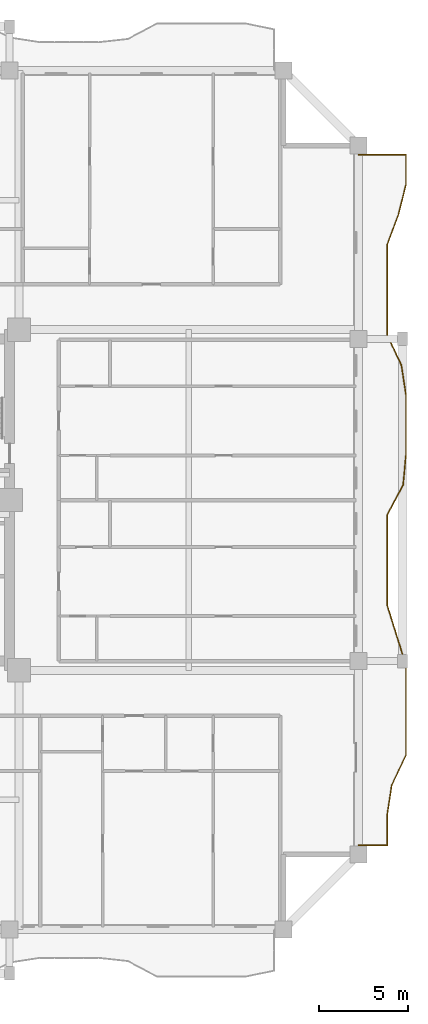
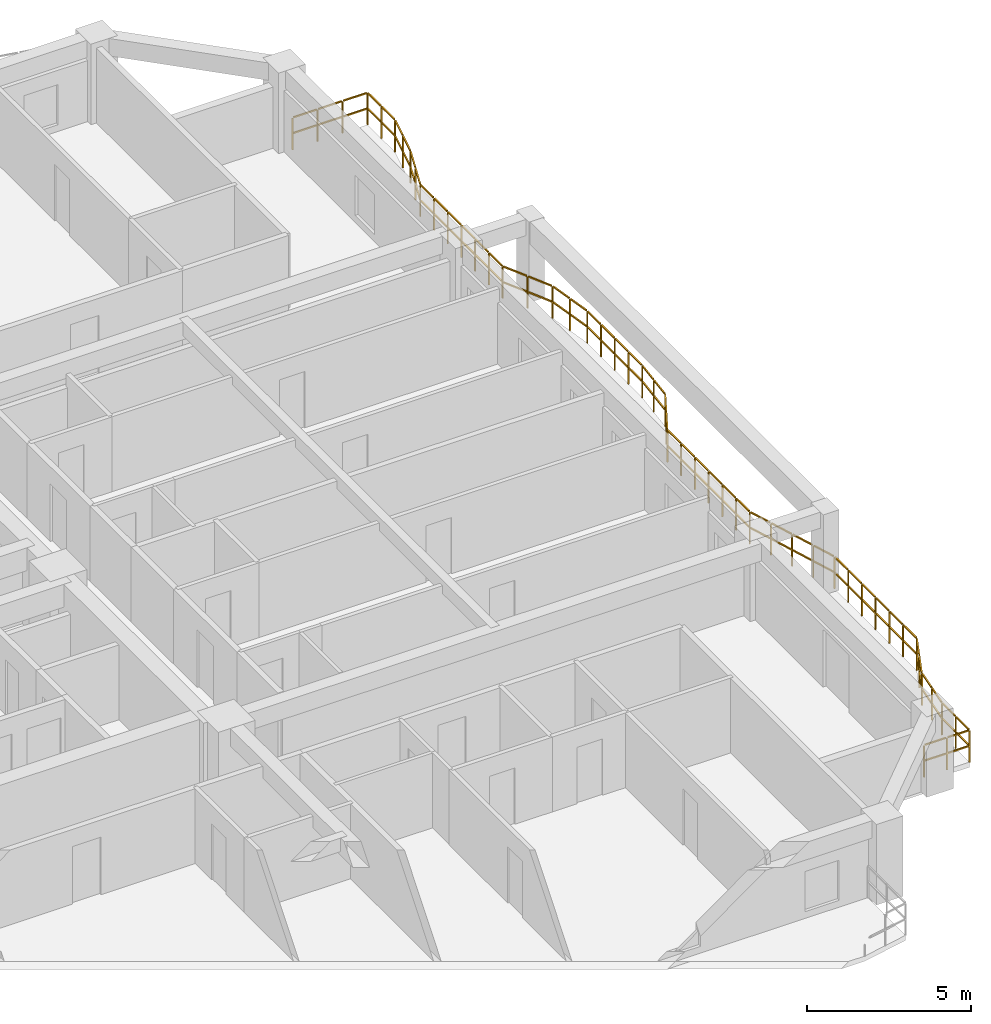
# One storey, part 12 of 13: 1 railing.
"""IFC4 building model written with IfcOpenShell, lengths in metres."""

from ifc_helpers import new_model, si_unit, direction, frame, origin, origin_2d, place, context, subcontext, project, spatial, rectangle, extrude, material, type_object, element, save


model = new_model("IFC4")

# Units and contexts
model_context = context("Model", 3, precision=1e-05, world=origin(), true_north=direction((0.0, 1.0)))
body_context = subcontext(model_context, "Body", "Model", "MODEL_VIEW")
ifc_project = project(units=[si_unit("LENGTHUNIT", "METRE"), si_unit("AREAUNIT", "SQUARE_METRE"), si_unit("VOLUMEUNIT", "CUBIC_METRE"), si_unit("PLANEANGLEUNIT", "RADIAN"), si_unit("MASSUNIT", "GRAM", prefix="KILO")], contexts=[model_context])

# Site, building, storey
site_placement = place(None, origin())
site = spatial("IfcSite", under=ifc_project, at=site_placement, CompositionType="ELEMENT")
building_placement = place(site_placement, origin())
building = spatial("IfcBuilding", under=site, at=building_placement, Name="Saelheon Loggia Tower", CompositionType="ELEMENT")
storey_placement = place(building_placement, frame((0.0, 0.0, 83.85009765625)))
storey = spatial("IfcBuildingStorey", under=building, at=storey_placement, Name="L26", CompositionType="ELEMENT", Elevation=83.85009765625)

# Railing
ifc_material = material(Name="Architectural Precast Concrete and Laminated Glass Guard", Category="concrete")
railing_type = type_object("IfcRailingType", Name="Guard_Loggia_RL_LOG", PredefinedType="BALUSTRADE", material=ifc_material)
railing_placement = place(storey_placement, frame((64.0, 7.699951171875, 0.0)))
element("IfcRailing", 1, at=railing_placement, inside=storey, type_object=railing_type, Name="L26 East Loggia Balustrade", PredefinedType="BALUSTRADE", context=body_context, shape_type="SweptSolid", body=[
    extrude(rectangle(XDim=0.048095703125, YDim=0.048095703125, at=origin_2d()), frame((0.033203125, 0.0, 1.19580078125), z_axis=(1.0, 0.0, 0.0), x_axis=(0.0, 1.0, 0.0)), (0.0, 0.0, 1.0), 0.733642578125),
    extrude(rectangle(XDim=0.048095703125, YDim=0.048095703125, at=origin_2d()), frame((0.033203125, 0.0, 0.60986328125), z_axis=(1.0, 0.0, 0.0), x_axis=(0.0, 1.0, 0.0)), (0.0, 0.0, 1.0), 0.733642578125),
    extrude(rectangle(XDim=0.048095703125, YDim=0.048095703125, at=origin_2d()), frame((0.833251953125, 0.0, 1.19580078125), z_axis=(1.0, 0.0, 0.0), x_axis=(0.0, 1.0, 0.0)), (0.0, 0.0, 1.0), 0.733642578125),
    extrude(rectangle(XDim=0.048095703125, YDim=0.048095703125, at=origin_2d()), frame((0.833251953125, 0.0, 0.60986328125), z_axis=(1.0, 0.0, 0.0), x_axis=(0.0, 1.0, 0.0)), (0.0, 0.0, 1.0), 0.733642578125),
    extrude(rectangle(XDim=0.048095703125, YDim=0.048095703125, at=origin_2d()), frame((1.60009765625, 0.033203125, 1.19580078125), z_axis=(0.0, 1.0, 0.0), x_axis=(-1.0, 0.0, 0.0)), (0.0, 0.0, 1.0), 0.772705078125),
    extrude(rectangle(XDim=0.048095703125, YDim=0.048095703125, at=origin_2d()), frame((1.60009765625, 0.033203125, 0.60986328125), z_axis=(0.0, 1.0, 0.0), x_axis=(-1.0, 0.0, 0.0)), (0.0, 0.0, 1.0), 0.772705078125),
    extrude(rectangle(XDim=0.048095703125, YDim=0.048095703125, at=origin_2d()), frame((1.60009765625, 0.87255859375, 1.19580078125), z_axis=(0.0, 1.0, 0.0), x_axis=(-1.0, 0.0, 0.0)), (0.0, 0.0, 1.0), 0.772705078125),
    extrude(rectangle(XDim=0.048095703125, YDim=0.048095703125, at=origin_2d()), frame((1.60009765625, 0.87255859375, 0.60986328125), z_axis=(0.0, 1.0, 0.0), x_axis=(-1.0, 0.0, 0.0)), (0.0, 0.0, 1.0), 0.772705078125),
    extrude(rectangle(XDim=0.048095703125, YDim=0.048095703125, at=origin_2d()), frame((1.605224609375, 1.71142578125, 1.19580078125), z_axis=(0.15116008587, 0.988509296082, 0.0), x_axis=(-0.988509296082, 0.15116008587, 0.0)), (0.0, 0.0, 1.0), 0.7822265625),
    extrude(rectangle(XDim=0.048095703125, YDim=0.048095703125, at=origin_2d()), frame((1.605224609375, 1.71142578125, 0.60986328125), z_axis=(0.15116008587, 0.988509296082, 0.0), x_axis=(-0.988509296082, 0.15116008587, 0.0)), (0.0, 0.0, 1.0), 0.7822265625),
    extrude(rectangle(XDim=0.048095703125, YDim=0.048095703125, at=origin_2d()), frame((1.7333984375, 2.55029296875, 1.19580078125), z_axis=(0.15116008587, 0.988509296082, 0.0), x_axis=(-0.988509296082, 0.15116008587, 0.0)), (0.0, 0.0, 1.0), 0.7822265625),
    extrude(rectangle(XDim=0.048095703125, YDim=0.048095703125, at=origin_2d()), frame((1.7333984375, 2.55029296875, 0.60986328125), z_axis=(0.15116008587, 0.988509296082, 0.0), x_axis=(-0.988509296082, 0.15116008587, 0.0)), (0.0, 0.0, 1.0), 0.7822265625),
    extrude(rectangle(XDim=0.048095703125, YDim=0.048095703125, at=origin_2d()), frame((1.870849609375, 3.386474609375, 1.19580078125), z_axis=(0.427272125585, 0.90412307276, 0.0), x_axis=(-0.90412307276, 0.427272125585, 0.0)), (0.0, 0.0, 1.0), 0.86181640625),
    extrude(rectangle(XDim=0.048095703125, YDim=0.048095703125, at=origin_2d()), frame((1.870849609375, 3.386474609375, 0.60986328125), z_axis=(0.427272125585, 0.90412307276, 0.0), x_axis=(-0.90412307276, 0.427272125585, 0.0)), (0.0, 0.0, 1.0), 0.86181640625),
    extrude(rectangle(XDim=0.048095703125, YDim=0.048095703125, at=origin_2d()), frame((2.267578125, 4.225830078125, 1.19580078125), z_axis=(0.427272125585, 0.90412307276, 0.0), x_axis=(-0.90412307276, 0.427272125585, 0.0)), (0.0, 0.0, 1.0), 0.86181640625),
    extrude(rectangle(XDim=0.048095703125, YDim=0.048095703125, at=origin_2d()), frame((2.267578125, 4.225830078125, 0.60986328125), z_axis=(0.427272125585, 0.90412307276, 0.0), x_axis=(-0.90412307276, 0.427272125585, 0.0)), (0.0, 0.0, 1.0), 0.86181640625),
    extrude(rectangle(XDim=0.048095703125, YDim=0.048095703125, at=origin_2d()), frame((2.64990234375, 5.068115234375, 1.19580078125), z_axis=(0.0, 1.0, 0.0), x_axis=(-1.0, 0.0, 0.0)), (0.0, 0.0, 1.0), 0.772705078125),
    extrude(rectangle(XDim=0.048095703125, YDim=0.048095703125, at=origin_2d()), frame((2.64990234375, 5.068115234375, 0.60986328125), z_axis=(0.0, 1.0, 0.0), x_axis=(-1.0, 0.0, 0.0)), (0.0, 0.0, 1.0), 0.772705078125),
    extrude(rectangle(XDim=0.048095703125, YDim=0.048095703125, at=origin_2d()), frame((2.64990234375, 5.9072265625, 1.19580078125), z_axis=(0.0, 1.0, 0.0), x_axis=(-1.0, 0.0, 0.0)), (0.0, 0.0, 1.0), 0.772705078125),
    extrude(rectangle(XDim=0.048095703125, YDim=0.048095703125, at=origin_2d()), frame((2.64990234375, 5.9072265625, 0.60986328125), z_axis=(0.0, 1.0, 0.0), x_axis=(-1.0, 0.0, 0.0)), (0.0, 0.0, 1.0), 0.772705078125),
    extrude(rectangle(XDim=0.048095703125, YDim=0.048095703125, at=origin_2d()), frame((2.64990234375, 6.746337890625, 1.19580078125), z_axis=(0.0, 1.0, 0.0), x_axis=(-1.0, 0.0, 0.0)), (0.0, 0.0, 1.0), 0.772705078125),
    extrude(rectangle(XDim=0.048095703125, YDim=0.048095703125, at=origin_2d()), frame((2.64990234375, 6.746337890625, 0.60986328125), z_axis=(0.0, 1.0, 0.0), x_axis=(-1.0, 0.0, 0.0)), (0.0, 0.0, 1.0), 0.772705078125),
    extrude(rectangle(XDim=0.048095703125, YDim=0.048095703125, at=origin_2d()), frame((2.64990234375, 7.58544921875, 1.19580078125), z_axis=(0.0, 1.0, 0.0), x_axis=(-1.0, 0.0, 0.0)), (0.0, 0.0, 1.0), 0.772705078125),
    extrude(rectangle(XDim=0.048095703125, YDim=0.048095703125, at=origin_2d()), frame((2.64990234375, 7.58544921875, 0.60986328125), z_axis=(0.0, 1.0, 0.0), x_axis=(-1.0, 0.0, 0.0)), (0.0, 0.0, 1.0), 0.772705078125),
    extrude(rectangle(XDim=0.048095703125, YDim=0.048095703125, at=origin_2d()), frame((2.64990234375, 8.424560546875, 1.19580078125), z_axis=(0.0, 1.0, 0.0), x_axis=(-1.0, 0.0, 0.0)), (0.0, 0.0, 1.0), 0.772705078125),
    extrude(rectangle(XDim=0.048095703125, YDim=0.048095703125, at=origin_2d()), frame((2.64990234375, 8.424560546875, 0.60986328125), z_axis=(0.0, 1.0, 0.0), x_axis=(-1.0, 0.0, 0.0)), (0.0, 0.0, 1.0), 0.772705078125),
    extrude(rectangle(XDim=0.048095703125, YDim=0.048095703125, at=origin_2d()), frame((2.64990234375, 9.263671875, 1.19580078125), z_axis=(0.0, 1.0, 0.0), x_axis=(-1.0, 0.0, 0.0)), (0.0, 0.0, 1.0), 0.772705078125),
    extrude(rectangle(XDim=0.048095703125, YDim=0.048095703125, at=origin_2d()), frame((2.64990234375, 9.263671875, 0.60986328125), z_axis=(0.0, 1.0, 0.0), x_axis=(-1.0, 0.0, 0.0)), (0.0, 0.0, 1.0), 0.772705078125),
    extrude(rectangle(XDim=0.048095703125, YDim=0.048095703125, at=origin_2d()), frame((2.639892578125, 10.101318359375, 1.19580078125), z_axis=(-0.299017909957, 0.954247499093, 0.0), x_axis=(-0.954247499093, -0.299017909957, 0.0)), (0.0, 0.0, 1.0), 0.81298828125),
    extrude(rectangle(XDim=0.048095703125, YDim=0.048095703125, at=origin_2d()), frame((2.639892578125, 10.101318359375, 0.60986328125), z_axis=(-0.299017909957, 0.954247499093, 0.0), x_axis=(-0.954247499093, -0.299017909957, 0.0)), (0.0, 0.0, 1.0), 0.81298828125),
    extrude(rectangle(XDim=0.048095703125, YDim=0.048095703125, at=origin_2d()), frame((2.376953125, 10.9404296875, 1.19580078125), z_axis=(-0.299017909957, 0.954247499093, 0.0), x_axis=(-0.954247499093, -0.299017909957, 0.0)), (0.0, 0.0, 1.0), 0.81298828125),
    extrude(rectangle(XDim=0.048095703125, YDim=0.048095703125, at=origin_2d()), frame((2.376953125, 10.9404296875, 0.60986328125), z_axis=(-0.299017909957, 0.954247499093, 0.0), x_axis=(-0.954247499093, -0.299017909957, 0.0)), (0.0, 0.0, 1.0), 0.81298828125),
    extrude(rectangle(XDim=0.048095703125, YDim=0.048095703125, at=origin_2d()), frame((2.114013671875, 11.779541015625, 1.19580078125), z_axis=(-0.297966647273, 0.954576281453, 0.0), x_axis=(-0.954576281453, -0.297966647273, 0.0)), (0.0, 0.0, 1.0), 0.812744140625),
    extrude(rectangle(XDim=0.048095703125, YDim=0.048095703125, at=origin_2d()), frame((2.114013671875, 11.779541015625, 0.60986328125), z_axis=(-0.297966647273, 0.954576281453, 0.0), x_axis=(-0.954576281453, -0.297966647273, 0.0)), (0.0, 0.0, 1.0), 0.812744140625),
    extrude(rectangle(XDim=0.048095703125, YDim=0.048095703125, at=origin_2d()), frame((1.85205078125, 12.61865234375, 1.19580078125), z_axis=(-0.297966647273, 0.954576281453, 0.0), x_axis=(-0.954576281453, -0.297966647273, 0.0)), (0.0, 0.0, 1.0), 0.812744140625),
    extrude(rectangle(XDim=0.048095703125, YDim=0.048095703125, at=origin_2d()), frame((1.85205078125, 12.61865234375, 0.60986328125), z_axis=(-0.297966647273, 0.954576281453, 0.0), x_axis=(-0.954576281453, -0.297966647273, 0.0)), (0.0, 0.0, 1.0), 0.812744140625),
    extrude(rectangle(XDim=0.048095703125, YDim=0.048095703125, at=origin_2d()), frame((1.60009765625, 13.45947265625, 1.19580078125), z_axis=(0.0, 1.0, 0.0), x_axis=(-1.0, 0.0, 0.0)), (0.0, 0.0, 1.0), 0.7724609375),
    extrude(rectangle(XDim=0.048095703125, YDim=0.048095703125, at=origin_2d()), frame((1.60009765625, 13.45947265625, 0.60986328125), z_axis=(0.0, 1.0, 0.0), x_axis=(-1.0, 0.0, 0.0)), (0.0, 0.0, 1.0), 0.7724609375),
    extrude(rectangle(XDim=0.048095703125, YDim=0.048095703125, at=origin_2d()), frame((1.60009765625, 14.298583984375, 1.19580078125), z_axis=(0.0, 1.0, 0.0), x_axis=(-1.0, 0.0, 0.0)), (0.0, 0.0, 1.0), 0.7724609375),
    extrude(rectangle(XDim=0.048095703125, YDim=0.048095703125, at=origin_2d()), frame((1.60009765625, 14.298583984375, 0.60986328125), z_axis=(0.0, 1.0, 0.0), x_axis=(-1.0, 0.0, 0.0)), (0.0, 0.0, 1.0), 0.7724609375),
    extrude(rectangle(XDim=0.048095703125, YDim=0.048095703125, at=origin_2d()), frame((1.60009765625, 15.137451171875, 1.19580078125), z_axis=(0.0, 1.0, 0.0), x_axis=(-1.0, 0.0, 0.0)), (0.0, 0.0, 1.0), 0.772705078125),
    extrude(rectangle(XDim=0.048095703125, YDim=0.048095703125, at=origin_2d()), frame((1.60009765625, 15.137451171875, 0.60986328125), z_axis=(0.0, 1.0, 0.0), x_axis=(-1.0, 0.0, 0.0)), (0.0, 0.0, 1.0), 0.772705078125),
    extrude(rectangle(XDim=0.048095703125, YDim=0.048095703125, at=origin_2d()), frame((1.60009765625, 15.976806640625, 1.19580078125), z_axis=(0.0, 1.0, 0.0), x_axis=(-1.0, 0.0, 0.0)), (0.0, 0.0, 1.0), 0.772705078125),
    extrude(rectangle(XDim=0.048095703125, YDim=0.048095703125, at=origin_2d()), frame((1.60009765625, 15.976806640625, 0.60986328125), z_axis=(0.0, 1.0, 0.0), x_axis=(-1.0, 0.0, 0.0)), (0.0, 0.0, 1.0), 0.772705078125),
    extrude(rectangle(XDim=0.048095703125, YDim=0.048095703125, at=origin_2d()), frame((1.60009765625, 16.81591796875, 1.19580078125), z_axis=(0.000727378335, 0.99999973546, 0.0), x_axis=(-0.99999973546, 0.000727378335, 0.0)), (0.0, 0.0, 1.0), 0.772705078125),
    extrude(rectangle(XDim=0.048095703125, YDim=0.048095703125, at=origin_2d()), frame((1.60009765625, 16.81591796875, 0.60986328125), z_axis=(0.000727378335, 0.99999973546, 0.0), x_axis=(-0.99999973546, 0.000727378335, 0.0)), (0.0, 0.0, 1.0), 0.772705078125),
    extrude(rectangle(XDim=0.048095703125, YDim=0.048095703125, at=origin_2d()), frame((1.600830078125, 17.655029296875, 1.19580078125), z_axis=(0.000727378335, 0.99999973546, 0.0), x_axis=(-0.99999973546, 0.000727378335, 0.0)), (0.0, 0.0, 1.0), 0.772705078125),
    extrude(rectangle(XDim=0.048095703125, YDim=0.048095703125, at=origin_2d()), frame((1.600830078125, 17.655029296875, 0.60986328125), z_axis=(0.000727378335, 0.99999973546, 0.0), x_axis=(-0.99999973546, 0.000727378335, 0.0)), (0.0, 0.0, 1.0), 0.772705078125),
    extrude(rectangle(XDim=0.048095703125, YDim=0.048095703125, at=origin_2d()), frame((1.616943359375, 18.490234375, 1.19580078125), z_axis=(0.469474503482, 0.882946029257, 0.0), x_axis=(-0.882946029257, 0.469474503482, 0.0)), (0.0, 0.0, 1.0), 0.8837890625),
    extrude(rectangle(XDim=0.048095703125, YDim=0.048095703125, at=origin_2d()), frame((1.616943359375, 18.490234375, 0.60986328125), z_axis=(0.469474503482, 0.882946029257, 0.0), x_axis=(-0.882946029257, 0.469474503482, 0.0)), (0.0, 0.0, 1.0), 0.8837890625),
    extrude(rectangle(XDim=0.048095703125, YDim=0.048095703125, at=origin_2d()), frame((2.06298828125, 19.329345703125, 1.19580078125), z_axis=(0.469474503482, 0.882946029257, 0.0), x_axis=(-0.882946029257, 0.469474503482, 0.0)), (0.0, 0.0, 1.0), 0.8837890625),
    extrude(rectangle(XDim=0.048095703125, YDim=0.048095703125, at=origin_2d()), frame((2.06298828125, 19.329345703125, 0.60986328125), z_axis=(0.469474503482, 0.882946029257, 0.0), x_axis=(-0.882946029257, 0.469474503482, 0.0)), (0.0, 0.0, 1.0), 0.8837890625),
    extrude(rectangle(XDim=0.048095703125, YDim=0.048095703125, at=origin_2d()), frame((2.496826171875, 20.17236328125, 1.19580078125), z_axis=(0.092703521138, 0.995693756719, 0.0), x_axis=(-0.995693756719, 0.092703521138, 0.0)), (0.0, 0.0, 1.0), 0.7763671875),
    extrude(rectangle(XDim=0.048095703125, YDim=0.048095703125, at=origin_2d()), frame((2.496826171875, 20.17236328125, 0.60986328125), z_axis=(0.092703521138, 0.995693756719, 0.0), x_axis=(-0.995693756719, 0.092703521138, 0.0)), (0.0, 0.0, 1.0), 0.7763671875),
    extrude(rectangle(XDim=0.048095703125, YDim=0.048095703125, at=origin_2d()), frame((2.574951171875, 21.011474609375, 1.19580078125), z_axis=(0.092703521138, 0.995693756719, 0.0), x_axis=(-0.995693756719, 0.092703521138, 0.0)), (0.0, 0.0, 1.0), 0.7763671875),
    extrude(rectangle(XDim=0.048095703125, YDim=0.048095703125, at=origin_2d()), frame((2.574951171875, 21.011474609375, 0.60986328125), z_axis=(0.092703521138, 0.995693756719, 0.0), x_axis=(-0.995693756719, 0.092703521138, 0.0)), (0.0, 0.0, 1.0), 0.7763671875),
    extrude(rectangle(XDim=0.048095703125, YDim=0.048095703125, at=origin_2d()), frame((2.64990234375, 21.8505859375, 1.19580078125), z_axis=(0.0, 1.0, 0.0), x_axis=(-1.0, 0.0, 0.0)), (0.0, 0.0, 1.0), 0.772705078125),
    extrude(rectangle(XDim=0.048095703125, YDim=0.048095703125, at=origin_2d()), frame((2.64990234375, 21.8505859375, 0.60986328125), z_axis=(0.0, 1.0, 0.0), x_axis=(-1.0, 0.0, 0.0)), (0.0, 0.0, 1.0), 0.772705078125),
    extrude(rectangle(XDim=0.048095703125, YDim=0.048095703125, at=origin_2d()), frame((2.64990234375, 22.68994140625, 1.19580078125), z_axis=(0.0, 1.0, 0.0), x_axis=(-1.0, 0.0, 0.0)), (0.0, 0.0, 1.0), 0.772705078125),
    extrude(rectangle(XDim=0.048095703125, YDim=0.048095703125, at=origin_2d()), frame((2.64990234375, 22.68994140625, 0.60986328125), z_axis=(0.0, 1.0, 0.0), x_axis=(-1.0, 0.0, 0.0)), (0.0, 0.0, 1.0), 0.772705078125),
    extrude(rectangle(XDim=0.048095703125, YDim=0.048095703125, at=origin_2d()), frame((2.64990234375, 23.529052734375, 1.19580078125), z_axis=(0.0, 1.0, 0.0), x_axis=(-1.0, 0.0, 0.0)), (0.0, 0.0, 1.0), 0.7724609375),
    extrude(rectangle(XDim=0.048095703125, YDim=0.048095703125, at=origin_2d()), frame((2.64990234375, 23.529052734375, 0.60986328125), z_axis=(0.0, 1.0, 0.0), x_axis=(-1.0, 0.0, 0.0)), (0.0, 0.0, 1.0), 0.7724609375),
    extrude(rectangle(XDim=0.048095703125, YDim=0.048095703125, at=origin_2d()), frame((2.64990234375, 24.3681640625, 1.19580078125), z_axis=(0.0, 1.0, 0.0), x_axis=(-1.0, 0.0, 0.0)), (0.0, 0.0, 1.0), 0.7724609375),
    extrude(rectangle(XDim=0.048095703125, YDim=0.048095703125, at=origin_2d()), frame((2.64990234375, 24.3681640625, 0.60986328125), z_axis=(0.0, 1.0, 0.0), x_axis=(-1.0, 0.0, 0.0)), (0.0, 0.0, 1.0), 0.7724609375),
    extrude(rectangle(XDim=0.048095703125, YDim=0.048095703125, at=origin_2d()), frame((2.644775390625, 25.206787109375, 1.19580078125), z_axis=(-0.151819504814, 0.988408234465, 0.0), x_axis=(-0.988408234465, -0.151819504814, 0.0)), (0.0, 0.0, 1.0), 0.78271484375),
    extrude(rectangle(XDim=0.048095703125, YDim=0.048095703125, at=origin_2d()), frame((2.644775390625, 25.206787109375, 0.60986328125), z_axis=(-0.151819504814, 0.988408234465, 0.0), x_axis=(-0.988408234465, -0.151819504814, 0.0)), (0.0, 0.0, 1.0), 0.78271484375),
    extrude(rectangle(XDim=0.048095703125, YDim=0.048095703125, at=origin_2d()), frame((2.515869140625, 26.0458984375, 1.19580078125), z_axis=(-0.151819504814, 0.988408234465, 0.0), x_axis=(-0.988408234465, -0.151819504814, 0.0)), (0.0, 0.0, 1.0), 0.78271484375),
    extrude(rectangle(XDim=0.048095703125, YDim=0.048095703125, at=origin_2d()), frame((2.515869140625, 26.0458984375, 0.60986328125), z_axis=(-0.151819504814, 0.988408234465, 0.0), x_axis=(-0.988408234465, -0.151819504814, 0.0)), (0.0, 0.0, 1.0), 0.78271484375),
    extrude(rectangle(XDim=0.048095703125, YDim=0.048095703125, at=origin_2d()), frame((2.3779296875, 26.88232421875, 1.19580078125), z_axis=(-0.42678516989, 0.904353038786, 0.0), x_axis=(-0.904353038786, -0.42678516989, 0.0)), (0.0, 0.0, 1.0), 0.861328125),
    extrude(rectangle(XDim=0.048095703125, YDim=0.048095703125, at=origin_2d()), frame((2.3779296875, 26.88232421875, 0.60986328125), z_axis=(-0.42678516989, 0.904353038786, 0.0), x_axis=(-0.904353038786, -0.42678516989, 0.0)), (0.0, 0.0, 1.0), 0.861328125),
    extrude(rectangle(XDim=0.048095703125, YDim=0.048095703125, at=origin_2d()), frame((1.98193359375, 27.721435546875, 1.19580078125), z_axis=(-0.42678516989, 0.904353038786, 0.0), x_axis=(-0.904353038786, -0.42678516989, 0.0)), (0.0, 0.0, 1.0), 0.861328125),
    extrude(rectangle(XDim=0.048095703125, YDim=0.048095703125, at=origin_2d()), frame((1.98193359375, 27.721435546875, 0.60986328125), z_axis=(-0.42678516989, 0.904353038786, 0.0), x_axis=(-0.904353038786, -0.42678516989, 0.0)), (0.0, 0.0, 1.0), 0.861328125),
    extrude(rectangle(XDim=0.048095703125, YDim=0.048095703125, at=origin_2d()), frame((1.60009765625, 28.563720703125, 1.19580078125), z_axis=(0.0, 1.0, 0.0), x_axis=(-1.0, 0.0, 0.0)), (0.0, 0.0, 1.0), 0.772705078125),
    extrude(rectangle(XDim=0.048095703125, YDim=0.048095703125, at=origin_2d()), frame((1.60009765625, 28.563720703125, 0.60986328125), z_axis=(0.0, 1.0, 0.0), x_axis=(-1.0, 0.0, 0.0)), (0.0, 0.0, 1.0), 0.772705078125),
    extrude(rectangle(XDim=0.048095703125, YDim=0.048095703125, at=origin_2d()), frame((1.60009765625, 29.40283203125, 1.19580078125), z_axis=(0.0, 1.0, 0.0), x_axis=(-1.0, 0.0, 0.0)), (0.0, 0.0, 1.0), 0.772705078125),
    extrude(rectangle(XDim=0.048095703125, YDim=0.048095703125, at=origin_2d()), frame((1.60009765625, 29.40283203125, 0.60986328125), z_axis=(0.0, 1.0, 0.0), x_axis=(-1.0, 0.0, 0.0)), (0.0, 0.0, 1.0), 0.772705078125),
    extrude(rectangle(XDim=0.048095703125, YDim=0.048095703125, at=origin_2d()), frame((1.60009765625, 30.241943359375, 1.19580078125), z_axis=(0.0, 1.0, 0.0), x_axis=(-1.0, 0.0, 0.0)), (0.0, 0.0, 1.0), 0.772705078125),
    extrude(rectangle(XDim=0.048095703125, YDim=0.048095703125, at=origin_2d()), frame((1.60009765625, 30.241943359375, 0.60986328125), z_axis=(0.0, 1.0, 0.0), x_axis=(-1.0, 0.0, 0.0)), (0.0, 0.0, 1.0), 0.772705078125),
    extrude(rectangle(XDim=0.048095703125, YDim=0.048095703125, at=origin_2d()), frame((1.60009765625, 31.0810546875, 1.19580078125), z_axis=(0.0, 1.0, 0.0), x_axis=(-1.0, 0.0, 0.0)), (0.0, 0.0, 1.0), 0.772705078125),
    extrude(rectangle(XDim=0.048095703125, YDim=0.048095703125, at=origin_2d()), frame((1.60009765625, 31.0810546875, 0.60986328125), z_axis=(0.0, 1.0, 0.0), x_axis=(-1.0, 0.0, 0.0)), (0.0, 0.0, 1.0), 0.772705078125),
    extrude(rectangle(XDim=0.048095703125, YDim=0.048095703125, at=origin_2d()), frame((1.60009765625, 31.920166015625, 1.19580078125), z_axis=(0.0, 1.0, 0.0), x_axis=(-1.0, 0.0, 0.0)), (0.0, 0.0, 1.0), 0.772705078125),
    extrude(rectangle(XDim=0.048095703125, YDim=0.048095703125, at=origin_2d()), frame((1.60009765625, 31.920166015625, 0.60986328125), z_axis=(0.0, 1.0, 0.0), x_axis=(-1.0, 0.0, 0.0)), (0.0, 0.0, 1.0), 0.772705078125),
    extrude(rectangle(XDim=0.048095703125, YDim=0.048095703125, at=origin_2d()), frame((1.60009765625, 32.75927734375, 1.19580078125), z_axis=(0.0, 1.0, 0.0), x_axis=(-1.0, 0.0, 0.0)), (0.0, 0.0, 1.0), 0.772705078125),
    extrude(rectangle(XDim=0.048095703125, YDim=0.048095703125, at=origin_2d()), frame((1.60009765625, 32.75927734375, 0.60986328125), z_axis=(0.0, 1.0, 0.0), x_axis=(-1.0, 0.0, 0.0)), (0.0, 0.0, 1.0), 0.772705078125),
    extrude(rectangle(XDim=0.048095703125, YDim=0.048095703125, at=origin_2d()), frame((1.61181640625, 33.59619140625, 1.19580078125), z_axis=(0.350391780818, 0.936603224388, 0.0), x_axis=(-0.936603224388, 0.350391780818, 0.0)), (0.0, 0.0, 1.0), 0.82958984375),
    extrude(rectangle(XDim=0.048095703125, YDim=0.048095703125, at=origin_2d()), frame((1.61181640625, 33.59619140625, 0.60986328125), z_axis=(0.350391780818, 0.936603224388, 0.0), x_axis=(-0.936603224388, 0.350391780818, 0.0)), (0.0, 0.0, 1.0), 0.82958984375),
    extrude(rectangle(XDim=0.048095703125, YDim=0.048095703125, at=origin_2d()), frame((1.92578125, 34.435546875, 1.19580078125), z_axis=(0.350391780818, 0.936603224388, 0.0), x_axis=(-0.936603224388, 0.350391780818, 0.0)), (0.0, 0.0, 1.0), 0.82958984375),
    extrude(rectangle(XDim=0.048095703125, YDim=0.048095703125, at=origin_2d()), frame((1.92578125, 34.435546875, 0.60986328125), z_axis=(0.350391780818, 0.936603224388, 0.0), x_axis=(-0.936603224388, 0.350391780818, 0.0)), (0.0, 0.0, 1.0), 0.82958984375),
    extrude(rectangle(XDim=0.048095703125, YDim=0.048095703125, at=origin_2d()), frame((2.236083984375, 35.27587890625, 1.19580078125), z_axis=(0.243830259239, 0.969817923468, 0.0), x_axis=(-0.969817923468, 0.243830259239, 0.0)), (0.0, 0.0, 1.0), 0.798583984375),
    extrude(rectangle(XDim=0.048095703125, YDim=0.048095703125, at=origin_2d()), frame((2.236083984375, 35.27587890625, 0.60986328125), z_axis=(0.243830259239, 0.969817923468, 0.0), x_axis=(-0.969817923468, 0.243830259239, 0.0)), (0.0, 0.0, 1.0), 0.798583984375),
    extrude(rectangle(XDim=0.048095703125, YDim=0.048095703125, at=origin_2d()), frame((2.447021484375, 36.114990234375, 1.19580078125), z_axis=(0.243830259239, 0.969817923468, 0.0), x_axis=(-0.969817923468, 0.243830259239, 0.0)), (0.0, 0.0, 1.0), 0.798583984375),
    extrude(rectangle(XDim=0.048095703125, YDim=0.048095703125, at=origin_2d()), frame((2.447021484375, 36.114990234375, 0.60986328125), z_axis=(0.243830259239, 0.969817923468, 0.0), x_axis=(-0.969817923468, 0.243830259239, 0.0)), (0.0, 0.0, 1.0), 0.798583984375),
    extrude(rectangle(XDim=0.048095703125, YDim=0.048095703125, at=origin_2d()), frame((2.64990234375, 36.954833984375, 1.19580078125), z_axis=(0.0, 1.0, 0.0), x_axis=(-1.0, 0.0, 0.0)), (0.0, 0.0, 1.0), 0.772705078125),
    extrude(rectangle(XDim=0.048095703125, YDim=0.048095703125, at=origin_2d()), frame((2.64990234375, 36.954833984375, 0.60986328125), z_axis=(0.0, 1.0, 0.0), x_axis=(-1.0, 0.0, 0.0)), (0.0, 0.0, 1.0), 0.772705078125),
    extrude(rectangle(XDim=0.048095703125, YDim=0.048095703125, at=origin_2d()), frame((2.64990234375, 37.794189453125, 1.19580078125), z_axis=(0.0, 1.0, 0.0), x_axis=(-1.0, 0.0, 0.0)), (0.0, 0.0, 1.0), 0.772705078125),
    extrude(rectangle(XDim=0.048095703125, YDim=0.048095703125, at=origin_2d()), frame((2.64990234375, 37.794189453125, 0.60986328125), z_axis=(0.0, 1.0, 0.0), x_axis=(-1.0, 0.0, 0.0)), (0.0, 0.0, 1.0), 0.772705078125),
    extrude(rectangle(XDim=0.048095703125, YDim=0.048095703125, at=origin_2d()), frame((2.61669921875, 38.60009765625, 1.19580078125), z_axis=(-1.0, 0.0, 0.0), x_axis=(0.0, -1.0, 0.0)), (0.0, 0.0, 1.0), 0.81689453125),
    extrude(rectangle(XDim=0.048095703125, YDim=0.048095703125, at=origin_2d()), frame((2.61669921875, 38.60009765625, 0.60986328125), z_axis=(-1.0, 0.0, 0.0), x_axis=(0.0, -1.0, 0.0)), (0.0, 0.0, 1.0), 0.81689453125),
    extrude(rectangle(XDim=0.048095703125, YDim=0.048095703125, at=origin_2d()), frame((1.7333984375, 38.60009765625, 1.19580078125), z_axis=(-1.0, 0.0, 0.0), x_axis=(0.0, -1.0, 0.0)), (0.0, 0.0, 1.0), 0.81689453125),
    extrude(rectangle(XDim=0.048095703125, YDim=0.048095703125, at=origin_2d()), frame((1.7333984375, 38.60009765625, 0.60986328125), z_axis=(-1.0, 0.0, 0.0), x_axis=(0.0, -1.0, 0.0)), (0.0, 0.0, 1.0), 0.81689453125),
    extrude(rectangle(XDim=0.048095703125, YDim=0.048095703125, at=origin_2d()), frame((0.85009765625, 38.60009765625, 1.19580078125), z_axis=(-1.0, 0.0, 0.0), x_axis=(0.0, -1.0, 0.0)), (0.0, 0.0, 1.0), 0.81689453125),
    extrude(rectangle(XDim=0.048095703125, YDim=0.048095703125, at=origin_2d()), frame((0.85009765625, 38.60009765625, 0.60986328125), z_axis=(-1.0, 0.0, 0.0), x_axis=(0.0, -1.0, 0.0)), (0.0, 0.0, 1.0), 0.81689453125),
    extrude(rectangle(XDim=0.0419921875, YDim=0.0419921875, at=origin_2d()), origin(), (0.0, 0.0, 1.0), 1.16796875),
    extrude(rectangle(XDim=0.0419921875, YDim=0.0419921875, at=origin_2d()), frame((0.800048828125, 0.0, 0.0)), (0.0, 0.0, 1.0), 1.16796875),
    extrude(rectangle(XDim=0.0419921875, YDim=0.0419921875, at=origin_2d()), frame((1.60009765625, 0.0, 0.0)), (0.0, 0.0, 1.0), 1.16796875),
    extrude(rectangle(XDim=0.0419921875, YDim=0.0419921875, at=origin_2d()), frame((1.60009765625, 0.83935546875, 0.0)), (0.0, 0.0, 1.0), 1.16796875),
    extrude(rectangle(XDim=0.0419921875, YDim=0.0419921875, at=origin_2d()), frame((1.60009765625, 1.678466796875, 0.0)), (0.0, 0.0, 1.0), 1.16796875),
    extrude(rectangle(XDim=0.0419921875, YDim=0.0419921875, at=origin_2d()), frame((1.728515625, 2.517578125, 0.0)), (0.0, 0.0, 1.0), 1.16796875),
    extrude(rectangle(XDim=0.0419921875, YDim=0.0419921875, at=origin_2d()), frame((1.856689453125, 3.3564453125, 0.0)), (0.0, 0.0, 1.0), 1.16796875),
    extrude(rectangle(XDim=0.0419921875, YDim=0.0419921875, at=origin_2d()), frame((2.25341796875, 4.19580078125, 0.0)), (0.0, 0.0, 1.0), 1.16796875),
    extrude(rectangle(XDim=0.0419921875, YDim=0.0419921875, at=origin_2d()), frame((2.64990234375, 5.034912109375, 0.0)), (0.0, 0.0, 1.0), 1.16796875),
    extrude(rectangle(XDim=0.0419921875, YDim=0.0419921875, at=origin_2d()), frame((2.64990234375, 5.8740234375, 0.0)), (0.0, 0.0, 1.0), 1.16796875),
    extrude(rectangle(XDim=0.0419921875, YDim=0.0419921875, at=origin_2d()), frame((2.64990234375, 6.713134765625, 0.0)), (0.0, 0.0, 1.0), 1.16796875),
    extrude(rectangle(XDim=0.0419921875, YDim=0.0419921875, at=origin_2d()), frame((2.64990234375, 7.55224609375, 0.0)), (0.0, 0.0, 1.0), 1.16796875),
    extrude(rectangle(XDim=0.0419921875, YDim=0.0419921875, at=origin_2d()), frame((2.64990234375, 8.391357421875, 0.0)), (0.0, 0.0, 1.0), 1.16796875),
    extrude(rectangle(XDim=0.0419921875, YDim=0.0419921875, at=origin_2d()), frame((2.64990234375, 9.23046875, 0.0)), (0.0, 0.0, 1.0), 1.16796875),
    extrude(rectangle(XDim=0.0419921875, YDim=0.0419921875, at=origin_2d()), frame((2.64990234375, 10.069580078125, 0.0)), (0.0, 0.0, 1.0), 1.16796875),
    extrude(rectangle(XDim=0.0419921875, YDim=0.0419921875, at=origin_2d()), frame((2.386962890625, 10.90869140625, 0.0)), (0.0, 0.0, 1.0), 1.16796875),
    extrude(rectangle(XDim=0.0419921875, YDim=0.0419921875, at=origin_2d()), frame((2.1240234375, 11.747802734375, 0.0)), (0.0, 0.0, 1.0), 1.16796875),
    extrude(rectangle(XDim=0.0419921875, YDim=0.0419921875, at=origin_2d()), frame((1.862060546875, 12.5869140625, 0.0)), (0.0, 0.0, 1.0), 1.16796875),
    extrude(rectangle(XDim=0.0419921875, YDim=0.0419921875, at=origin_2d()), frame((1.60009765625, 13.42626953125, 0.0)), (0.0, 0.0, 1.0), 1.16796875),
    extrude(rectangle(XDim=0.0419921875, YDim=0.0419921875, at=origin_2d()), frame((1.60009765625, 14.26513671875, 0.0)), (0.0, 0.0, 1.0), 1.16796875),
    extrude(rectangle(XDim=0.0419921875, YDim=0.0419921875, at=origin_2d()), frame((1.60009765625, 15.104248046875, 0.0)), (0.0, 0.0, 1.0), 1.16796875),
    extrude(rectangle(XDim=0.0419921875, YDim=0.0419921875, at=origin_2d()), frame((1.60009765625, 15.943359375, 0.0)), (0.0, 0.0, 1.0), 1.16796875),
    extrude(rectangle(XDim=0.0419921875, YDim=0.0419921875, at=origin_2d()), frame((1.60009765625, 16.78271484375, 0.0)), (0.0, 0.0, 1.0), 1.16796875),
    extrude(rectangle(XDim=0.0419921875, YDim=0.0419921875, at=origin_2d()), frame((1.6005859375, 17.621826171875, 0.0)), (0.0, 0.0, 1.0), 1.16796875),
    extrude(rectangle(XDim=0.0419921875, YDim=0.0419921875, at=origin_2d()), frame((1.601318359375, 18.4609375, 0.0)), (0.0, 0.0, 1.0), 1.16796875),
    extrude(rectangle(XDim=0.0419921875, YDim=0.0419921875, at=origin_2d()), frame((2.04736328125, 19.300048828125, 0.0)), (0.0, 0.0, 1.0), 1.16796875),
    extrude(rectangle(XDim=0.0419921875, YDim=0.0419921875, at=origin_2d()), frame((2.49365234375, 20.13916015625, 0.0)), (0.0, 0.0, 1.0), 1.16796875),
    extrude(rectangle(XDim=0.0419921875, YDim=0.0419921875, at=origin_2d()), frame((2.57177734375, 20.978271484375, 0.0)), (0.0, 0.0, 1.0), 1.16796875),
    extrude(rectangle(XDim=0.0419921875, YDim=0.0419921875, at=origin_2d()), frame((2.64990234375, 21.8173828125, 0.0)), (0.0, 0.0, 1.0), 1.16796875),
    extrude(rectangle(XDim=0.0419921875, YDim=0.0419921875, at=origin_2d()), frame((2.64990234375, 22.65673828125, 0.0)), (0.0, 0.0, 1.0), 1.16796875),
    extrude(rectangle(XDim=0.0419921875, YDim=0.0419921875, at=origin_2d()), frame((2.64990234375, 23.495849609375, 0.0)), (0.0, 0.0, 1.0), 1.16796875),
    extrude(rectangle(XDim=0.0419921875, YDim=0.0419921875, at=origin_2d()), frame((2.64990234375, 24.3349609375, 0.0)), (0.0, 0.0, 1.0), 1.16796875),
    extrude(rectangle(XDim=0.0419921875, YDim=0.0419921875, at=origin_2d()), frame((2.64990234375, 25.173828125, 0.0)), (0.0, 0.0, 1.0), 1.16796875),
    extrude(rectangle(XDim=0.0419921875, YDim=0.0419921875, at=origin_2d()), frame((2.52099609375, 26.01318359375, 0.0)), (0.0, 0.0, 1.0), 1.16796875),
    extrude(rectangle(XDim=0.0419921875, YDim=0.0419921875, at=origin_2d()), frame((2.39208984375, 26.852294921875, 0.0)), (0.0, 0.0, 1.0), 1.16796875),
    extrude(rectangle(XDim=0.0419921875, YDim=0.0419921875, at=origin_2d()), frame((1.99609375, 27.69140625, 0.0)), (0.0, 0.0, 1.0), 1.16796875),
    extrude(rectangle(XDim=0.0419921875, YDim=0.0419921875, at=origin_2d()), frame((1.60009765625, 28.530517578125, 0.0)), (0.0, 0.0, 1.0), 1.16796875),
    extrude(rectangle(XDim=0.0419921875, YDim=0.0419921875, at=origin_2d()), frame((1.60009765625, 29.36962890625, 0.0)), (0.0, 0.0, 1.0), 1.16796875),
    extrude(rectangle(XDim=0.0419921875, YDim=0.0419921875, at=origin_2d()), frame((1.60009765625, 30.208740234375, 0.0)), (0.0, 0.0, 1.0), 1.16796875),
    extrude(rectangle(XDim=0.0419921875, YDim=0.0419921875, at=origin_2d()), frame((1.60009765625, 31.0478515625, 0.0)), (0.0, 0.0, 1.0), 1.16796875),
    extrude(rectangle(XDim=0.0419921875, YDim=0.0419921875, at=origin_2d()), frame((1.60009765625, 31.886962890625, 0.0)), (0.0, 0.0, 1.0), 1.16796875),
    extrude(rectangle(XDim=0.0419921875, YDim=0.0419921875, at=origin_2d()), frame((1.60009765625, 32.72607421875, 0.0)), (0.0, 0.0, 1.0), 1.16796875),
    extrude(rectangle(XDim=0.0419921875, YDim=0.0419921875, at=origin_2d()), frame((1.60009765625, 33.565185546875, 0.0)), (0.0, 0.0, 1.0), 1.16796875),
    extrude(rectangle(XDim=0.0419921875, YDim=0.0419921875, at=origin_2d()), frame((1.9140625, 34.404296875, 0.0)), (0.0, 0.0, 1.0), 1.16796875),
    extrude(rectangle(XDim=0.0419921875, YDim=0.0419921875, at=origin_2d()), frame((2.22802734375, 35.24365234375, 0.0)), (0.0, 0.0, 1.0), 1.16796875),
    extrude(rectangle(XDim=0.0419921875, YDim=0.0419921875, at=origin_2d()), frame((2.43896484375, 36.08251953125, 0.0)), (0.0, 0.0, 1.0), 1.16796875),
    extrude(rectangle(XDim=0.0419921875, YDim=0.0419921875, at=origin_2d()), frame((2.64990234375, 36.921630859375, 0.0)), (0.0, 0.0, 1.0), 1.16796875),
    extrude(rectangle(XDim=0.0419921875, YDim=0.0419921875, at=origin_2d()), frame((2.64990234375, 37.7607421875, 0.0)), (0.0, 0.0, 1.0), 1.16796875),
    extrude(rectangle(XDim=0.0419921875, YDim=0.0419921875, at=origin_2d()), frame((2.64990234375, 38.60009765625, 0.0)), (0.0, 0.0, 1.0), 1.16796875),
    extrude(rectangle(XDim=0.0419921875, YDim=0.0419921875, at=origin_2d()), frame((1.7666015625, 38.60009765625, 0.0)), (0.0, 0.0, 1.0), 1.16796875),
    extrude(rectangle(XDim=0.0419921875, YDim=0.0419921875, at=origin_2d()), frame((0.88330078125, 38.60009765625, 0.0)), (0.0, 0.0, 1.0), 1.16796875),
    extrude(rectangle(XDim=0.0419921875, YDim=0.0419921875, at=origin_2d()), frame((0.0, 38.60009765625, 0.0)), (0.0, 0.0, 1.0), 1.16796875),
])

save(model, "model.ifc")
